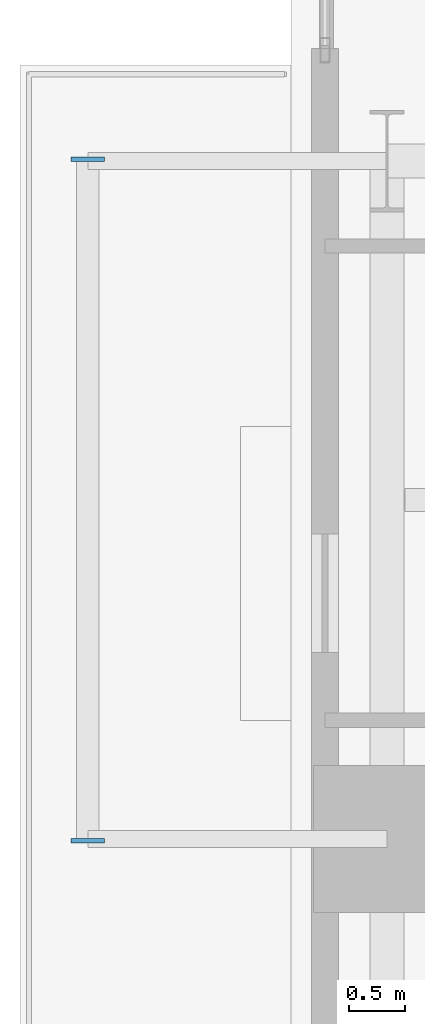
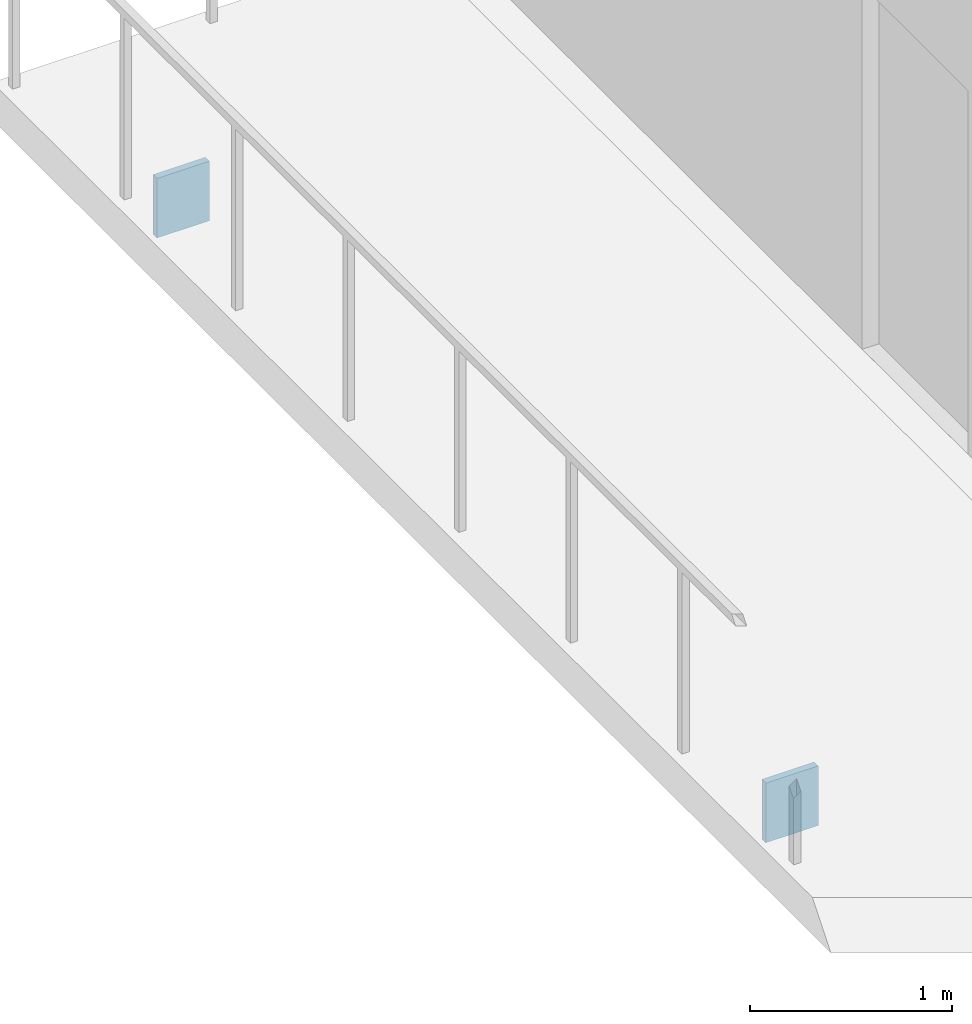
# One storey, part 20 of 27: 2 plates.
"""IFC4 building model written with IfcOpenShell, lengths in metres."""

from ifc_helpers import new_model, si_unit, direction, frame, origin, origin_2d, place, context, subcontext, project, spatial, rectangle, extrude, material, layer, layer_set, type_object, element, save


model = new_model("IFC4")

# Units and contexts
model_context = context("Model", 3, precision=1e-05, world=origin(), true_north=direction((0.0, 1.0)))
body_context = subcontext(model_context, "Body", "Model", "MODEL_VIEW")
ifc_project = project(units=[si_unit("LENGTHUNIT", "METRE"), si_unit("AREAUNIT", "SQUARE_METRE"), si_unit("VOLUMEUNIT", "CUBIC_METRE"), si_unit("PLANEANGLEUNIT", "RADIAN"), si_unit("MASSUNIT", "GRAM", prefix="KILO"), si_unit("THERMODYNAMICTEMPERATUREUNIT", "KELVIN"), si_unit("POWERUNIT", "WATT")], contexts=[model_context])

# Site, building, storey
site_placement = place(None, origin())
site = spatial("IfcSite", under=ifc_project, at=site_placement, CompositionType="ELEMENT")
building_placement = place(site_placement, origin())
building = spatial("IfcBuilding", under=site, at=building_placement, Name="Svarakhadi Broadcast Tower", CompositionType="ELEMENT")
storey_placement = place(building_placement, frame((0.0, 0.0, 44.10009765625)))
storey = spatial("IfcBuildingStorey", under=building, at=storey_placement, Name="L09", CompositionType="ELEMENT", Elevation=44.10009765625)

# Plates
ifc_material = material(Name="Steel S460ML (IS 2062 E450BR)", Category="steel")
ifc_layer = layer(ifc_material, 0.028076171875)
ifc_layer_set = layer_set([ifc_layer], Name="Steel S460ML (IS 2062 E450BR)")
plate_type = type_object("IfcPlateType", Name="Cap_Plate_CP02", PredefinedType="USERDEFINED", material=ifc_layer_set)
for number, where, z_axis, x_axis, name in (
    (1, (-1.800048828125, 35.135009765625, -0.580078125), (0.0, 0.0, 1.0), (1.0, 0.0, 0.0), "L09 Balcony Spandrel End Cap Plate 2F-A"),
    (2, (-1.800048828125, 41.1650390625, -0.580078125), (0.0, 0.0, 1.0), (1.0, 0.0, 0.0), "L09 Balcony Spandrel End Cap Plate 2F-B"),
):
    element("IfcPlate", number, at=place(storey_placement, frame(where, z_axis=z_axis, x_axis=x_axis)), inside=storey, type_object=plate_type, Name=name, ObjectType="FLANGE_PLATE", PredefinedType="USERDEFINED", context=body_context, shape_type="SweptSolid", body=[
        extrude(rectangle(XDim=0.300048828125, YDim=0.0400390625, at=origin_2d()), origin(), (0.0, 0.0, 1.0), 0.360107421875),
    ])

save(model, "model.ifc")
